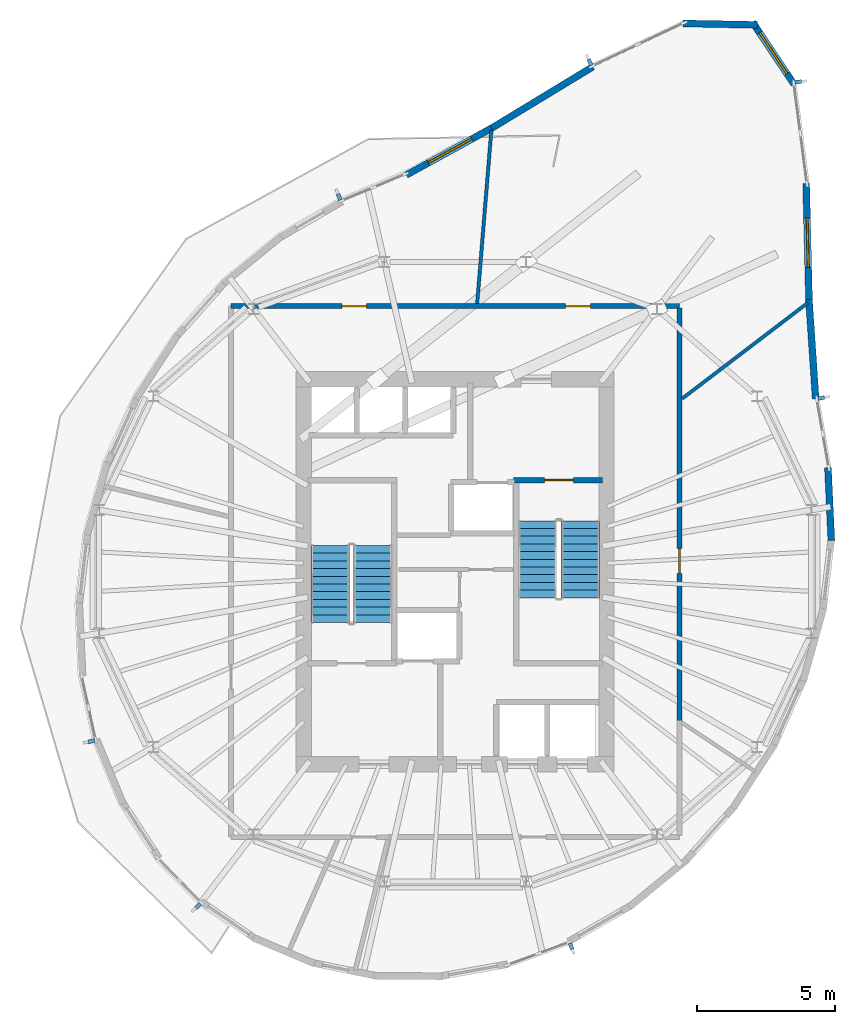
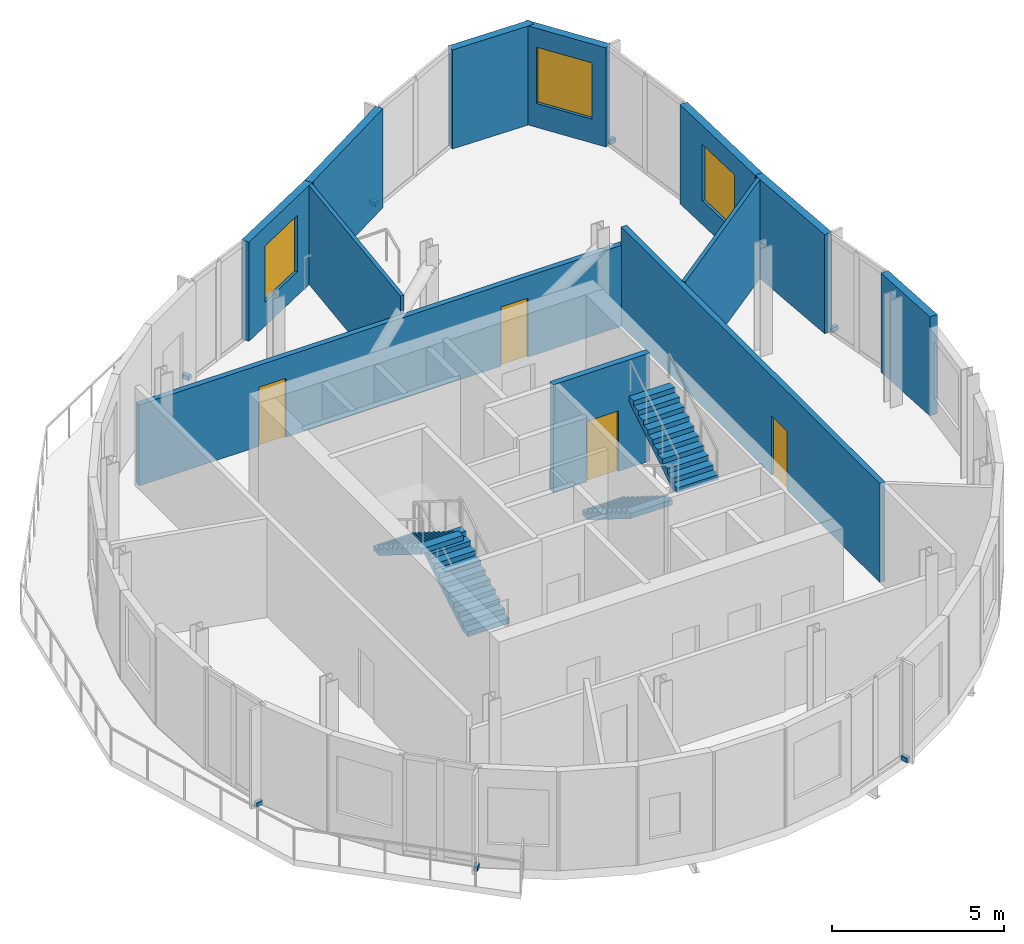
# One storey, part 6 of 8: 12 walls, 7 discrete accessories, 4 doors, 4 stair flights, 3 windows, 7 openings, 2 elements without a shape of their own.
"""IFC4 building model written with IfcOpenShell, lengths in metres."""

from ifc_helpers import new_model, si_unit, direction, frame, frame_2d, origin, origin_2d, place, context, subcontext, project, spatial, polyline, rectangle, outline, extrude, material, layer, layer_set, type_object, element, fill, aggregate, save


model = new_model("IFC4")

# Units and contexts
model_context = context("Model", 3, precision=1e-05, world=origin(), true_north=direction((0.0, 1.0)))
body_context = subcontext(model_context, "Body", "Model", "MODEL_VIEW")
ifc_project = project(units=[si_unit("LENGTHUNIT", "METRE"), si_unit("AREAUNIT", "SQUARE_METRE"), si_unit("VOLUMEUNIT", "CUBIC_METRE"), si_unit("PLANEANGLEUNIT", "RADIAN"), si_unit("MASSUNIT", "GRAM", prefix="KILO")], contexts=[model_context])

# Site, building, storey
site_placement = place(None, origin())
site = spatial("IfcSite", under=ifc_project, at=site_placement, CompositionType="ELEMENT")
building_placement = place(site_placement, origin())
building = spatial("IfcBuilding", under=site, at=building_placement, Name="Veldorim Arch Residences", CompositionType="ELEMENT")
storey_placement = place(building_placement, frame((0.0, 0.0, 243.0400390625)))
storey = spatial("IfcBuildingStorey", under=building, at=storey_placement, Name="L73", CompositionType="ELEMENT", Elevation=243.0400390625)

# Walls
ifc_material_1 = material(Name="Acoustic Gypsum Board", Category="gypsum")
ifc_layer_1 = layer(ifc_material_1, 0.125, Name="Acoustic Stud Room Partition Wall 125")
ifc_layer_set_1 = layer_set([ifc_layer_1], Name="Acoustic Gypsum Board")
wall_type_1 = type_object("IfcWallType", Name="Acoustic Stud Room Partition Wall 125", PredefinedType="PARTITIONING", material=ifc_layer_set_1)
wall_1_placement = place(storey_placement, frame((32.798095703125, 33.749755859375, 0.0), z_axis=(0.0, 0.0, 1.0), x_axis=(0.081612219351, 0.996664158908, 0.0)))
element("IfcWall", 1, at=wall_1_placement, inside=storey, type_object=wall_type_1, Name="L73 interior wall WL-SKY-L73-007", PredefinedType="PARTITIONING", context=body_context, shape_type="SweptSolid", body=[
    extrude(rectangle(XDim=6.329833984375, YDim=0.125, at=frame_2d((3.1650390625, 0.0))), origin(), (0.0, 0.0, 1.0), 3.514892578125),
])
wall_2_placement = place(storey_placement, frame((44.8134765625, 33.768310546875, 0.0), z_axis=(0.0, 0.0, 1.0), x_axis=(-0.795267778137, -0.606258328649, 0.0)))
element("IfcWall", 2, at=wall_2_placement, inside=storey, type_object=wall_type_1, Name="L73 interior wall WL-SKY-L73-008", PredefinedType="PARTITIONING", context=body_context, shape_type="SweptSolid", body=[
    extrude(rectangle(XDim=5.744140625, YDim=0.125, at=frame_2d((2.8720703125, 0.0))), origin(), (0.0, 0.0, 1.0), 3.514892578125),
])

# Wall, openings, doors
ifc_material_2 = material(Name="Lightweight Masonry Block & Gypsum", Category="masonry")
ifc_layer_2 = layer(ifc_material_2, 0.179931640625, Name="Compartment & Corridor Fire-Rated Party Wall 180")
ifc_layer_set_2 = layer_set([ifc_layer_2], Name="Lightweight Masonry Block & Gypsum")
wall_type_2 = type_object("IfcWallType", Name="Compartment & Corridor Fire-Rated Party Wall 180", PredefinedType="PARTITIONING", material=ifc_layer_set_2)
wall_3_placement = place(storey_placement, frame((23.85009765625, 33.64990234375, 0.0), z_axis=(0.0, 0.0, 1.0), x_axis=(1.0, 0.0, 0.0)))
wall_3 = element("IfcWall", 3, at=wall_3_placement, inside=storey, type_object=wall_type_2, Name="L73 interior wall WL-SKY-L73-001", PredefinedType="PARTITIONING", context=body_context, shape_type="SweptSolid", body=[
    extrude(rectangle(XDim=16.2998046875, YDim=0.179931640625, at=frame_2d((8.14990234375, 0.0))), origin(), (0.0, 0.0, 1.0), 2.877685546875),
])
opening_1_placement = place(wall_3_placement, frame((12.159912109375, 0.0, 0.0)))
opening_1 = element("IfcOpeningElement", 4, at=opening_1_placement, cuts=wall_3, Name="Opening DR-INT", PredefinedType="OPENING", context=body_context, shape_type="SweptSolid", body=[
    extrude(rectangle(XDim=0.89990234375, YDim=2.10009765625, at=frame_2d((0.449951171875, 1.050048828125))), frame((0.0, 0.099853515625, 0.0), z_axis=(0.0, -1.0, 0.0), x_axis=(1.0, 0.0, 0.0)), (0.0, 0.0, 1.0), 0.199951171875),
])
opening_2_placement = place(wall_3_placement, frame((4.030029296875, 0.0, 0.0)))
opening_2 = element("IfcOpeningElement", 5, at=opening_2_placement, cuts=wall_3, Name="Opening DR-INT", PredefinedType="OPENING", context=body_context, shape_type="SweptSolid", body=[
    extrude(rectangle(XDim=0.89990234375, YDim=2.10009765625, at=frame_2d((0.449951171875, 1.050048828125))), frame((0.0, 0.099853515625, 0.0), z_axis=(0.0, -1.0, 0.0), x_axis=(1.0, 0.0, 0.0)), (0.0, 0.0, 1.0), 0.199951171875),
])
ifc_material_3 = material(Name="Engineered Timber", Category="wood")
door_type_1 = type_object("IfcDoorType", Name="Apartment Internal Room Timber Door 900x2100", OperationType="SINGLE_SWING_LEFT", PredefinedType="DOOR", material=ifc_material_3)
door_1_placement = place(opening_1_placement, origin())
door_1 = element("IfcDoor", 6, at=door_1_placement, inside=storey, type_object=door_type_1, Name="L73 interior door DR-SKY-L73-001", OperationType="SINGLE_SWING_LEFT", OverallHeight=2.10009765625, OverallWidth=0.89990234375, PredefinedType="DOOR", context=body_context, shape_type="SweptSolid", body=[
    extrude(rectangle(XDim=0.89990234375, YDim=2.10009765625, at=frame_2d((0.449951171875, 1.050048828125))), frame((0.0, 0.02490234375, 0.0), z_axis=(0.0, -1.0, 0.0), x_axis=(1.0, 0.0, 0.0)), (0.0, 0.0, 1.0), 0.050048828125),
])
fill(opening_1, door_1)
door_2_placement = place(opening_2_placement, origin())
door_2 = element("IfcDoor", 7, at=door_2_placement, inside=storey, type_object=door_type_1, Name="L73 interior door DR-SKY-L73-002", OperationType="SINGLE_SWING_RIGHT", OverallHeight=2.10009765625, OverallWidth=0.89990234375, PredefinedType="DOOR", context=body_context, shape_type="SweptSolid", body=[
    extrude(rectangle(XDim=0.89990234375, YDim=2.10009765625, at=frame_2d((0.449951171875, 1.050048828125))), frame((0.0, 0.02490234375, 0.0), z_axis=(0.0, -1.0, 0.0), x_axis=(1.0, 0.0, 0.0)), (0.0, 0.0, 1.0), 0.050048828125),
])
fill(opening_2, door_2)

# Wall, opening, door
wall_4_placement = place(storey_placement, frame((40.14990234375, 33.590087890625, 0.0), z_axis=(0.0, 0.0, 1.0), x_axis=(0.0, -1.0, 0.0)))
wall_4 = element("IfcWall", 8, at=wall_4_placement, inside=storey, type_object=wall_type_2, Name="L73 interior wall WL-SKY-L73-002", PredefinedType="PARTITIONING", context=body_context, shape_type="SweptSolid", body=[
    extrude(rectangle(XDim=15.04541015625, YDim=0.179931640625, at=frame_2d((7.522705078125, 0.0))), origin(), (0.0, 0.0, 1.0), 3.514892578125),
])
opening_3_placement = place(wall_4_placement, frame((8.74853515625, 0.0, 0.0)))
opening_3 = element("IfcOpeningElement", 9, at=opening_3_placement, cuts=wall_4, Name="Opening DR-INT", PredefinedType="OPENING", context=body_context, shape_type="SweptSolid", body=[
    extrude(rectangle(XDim=0.89990234375, YDim=2.10009765625, at=frame_2d((0.449951171875, 1.050048828125))), frame((0.0, 0.099853515625, 0.0), z_axis=(0.0, -1.0, 0.0), x_axis=(1.0, 0.0, 0.0)), (0.0, 0.0, 1.0), 0.199951171875),
])
door_3_placement = place(opening_3_placement, origin())
door_3 = element("IfcDoor", 10, at=door_3_placement, inside=storey, type_object=door_type_1, Name="L73 interior door DR-SKY-L73-006", OperationType="SINGLE_SWING_RIGHT", OverallHeight=2.10009765625, OverallWidth=0.89990234375, PredefinedType="DOOR", context=body_context, shape_type="SweptSolid", body=[
    extrude(rectangle(XDim=0.89990234375, YDim=2.10009765625, at=frame_2d((0.449951171875, 1.050048828125))), frame((0.0, 0.02490234375, 0.0), z_axis=(0.0, -1.0, 0.0), x_axis=(1.0, 0.0, 0.0)), (0.0, 0.0, 1.0), 0.050048828125),
])
fill(opening_3, door_3)

ifc_material_4 = material(Name="Concrete C50/60", Category="concrete")
ifc_layer_3 = layer(ifc_material_4, 0.199951171875, Name="Core Stair & Lift Shaft Enclosure Wall 200")
ifc_layer_set_3 = layer_set([ifc_layer_3], Name="Concrete C50/60")
wall_type_3 = type_object("IfcWallType", Name="Core Stair & Lift Shaft Enclosure Wall 200", PredefinedType="SHEAR", material=ifc_layer_set_3)
wall_5_placement = place(storey_placement, frame((34.110107421875, 27.330078125, 0.0), z_axis=(0.0, 0.0, 1.0), x_axis=(1.0, 0.0, 0.0)))
wall_5 = element("IfcWall", 11, at=wall_5_placement, inside=storey, type_object=wall_type_3, Name="L73 shaft wall WL-SHF-L73-ST2-N", PredefinedType="SHEAR", context=body_context, shape_type="SweptSolid", body=[
    extrude(rectangle(XDim=3.239990234375, YDim=0.199951171875, at=frame_2d((1.6201171875, 0.0))), origin(), (0.0, 0.0, 1.0), 3.83984375),
])
opening_4_placement = place(wall_5_placement, frame((1.135009765625, 0.0, 0.0)))
opening_4 = element("IfcOpeningElement", 12, at=opening_4_placement, cuts=wall_5, Name="Opening DR-ST", PredefinedType="OPENING", context=body_context, shape_type="SweptSolid", body=[
    extrude(rectangle(XDim=1.050048828125, YDim=2.14990234375, at=frame_2d((0.52490234375, 1.074951171875))), frame((0.0, 0.10986328125, 0.0), z_axis=(0.0, -1.0, 0.0), x_axis=(1.0, 0.0, 0.0)), (0.0, 0.0, 1.0), 0.219970703125),
])
ifc_material_5 = material(Name="Fire-Rated Steel", Category="steel")
door_type_2 = type_object("IfcDoorType", Name="Exit Staircase Self-Closing Fire Door 1050x2150", OperationType="SINGLE_SWING_LEFT", PredefinedType="DOOR", material=ifc_material_5)
door_4_placement = place(opening_4_placement, origin())
door_4 = element("IfcDoor", 13, at=door_4_placement, inside=storey, type_object=door_type_2, Name="L73 interior door DR-L73-ST2", OperationType="SINGLE_SWING_RIGHT", OverallHeight=2.14990234375, OverallWidth=1.050048828125, PredefinedType="DOOR", context=body_context, shape_type="SweptSolid", body=[
    extrude(rectangle(XDim=1.050048828125, YDim=2.14990234375, at=frame_2d((0.52490234375, 1.074951171875))), frame((0.0, 0.02490234375, 0.0), z_axis=(0.0, -1.0, 0.0), x_axis=(1.0, 0.0, 0.0)), (0.0, 0.0, 1.0), 0.050048828125),
])
fill(opening_4, door_4)

# Walls
ifc_material_6 = material(Name="Precast concrete C40/50", Category="concrete")
ifc_layer_4 = layer(ifc_material_6, 0.25, Name="Tower Terracotta Spandrel & Pier Wall 250")
ifc_layer_set_4 = layer_set([ifc_layer_4], Name="Precast concrete C40/50")
wall_type_4 = type_object("IfcWallType", Name="Tower Terracotta Spandrel & Pier Wall 250", PredefinedType="SOLIDWALL", material=ifc_layer_set_4)
wall_6_placement = place(storey_placement, frame((40.28564453125, 43.9287109375, 0.0), z_axis=(0.0, 0.0, 1.0), x_axis=(0.999816175045, -0.019173317875, 0.0)))
element("IfcWall", 14, at=wall_6_placement, inside=storey, type_object=wall_type_4, Name="L73 terracotta facade wall 01", PredefinedType="SOLIDWALL", context=body_context, shape_type="SweptSolid", body=[
    extrude(rectangle(XDim=2.699462890625, YDim=0.25, at=frame_2d((1.349609375, 0.0))), origin(), (0.0, 0.0, 1.0), 3.52001953125),
])
wall_7_placement = place(storey_placement, frame((33.327880859375, 40.126708984375, 0.0), z_axis=(0.0, 0.0, 1.0), x_axis=(0.854986749767, 0.518649841148, 0.0)))
element("IfcWall", 15, at=wall_7_placement, inside=storey, type_object=wall_type_4, Name="L73 terracotta facade wall 03", PredefinedType="SOLIDWALL", context=body_context, shape_type="SweptSolid", body=[
    extrude(rectangle(XDim=4.289306640625, YDim=0.25, at=frame_2d((2.14453125, 0.0))), origin(), (0.0, 0.0, 1.0), 3.52001953125),
])

# Wall, opening, window
wall_8_placement = place(storey_placement, frame((30.224365234375, 38.42529296875, 0.0), z_axis=(0.0, 0.0, 1.0), x_axis=(0.876630929742, 0.481163395344, 0.0)))
wall_8 = element("IfcWall", 16, at=wall_8_placement, inside=storey, type_object=wall_type_4, Name="L73 terracotta facade wall 04", PredefinedType="SOLIDWALL", context=body_context, shape_type="SweptSolid", body=[
    extrude(rectangle(XDim=3.623779296875, YDim=0.25, at=frame_2d((1.81201171875, 0.0))), origin(), (0.0, 0.0, 1.0), 3.52001953125),
])
opening_5_placement = place(wall_8_placement, frame((0.912109375, 0.0, 0.85009765625)))
opening_5 = element("IfcOpeningElement", 17, at=opening_5_placement, cuts=wall_8, Name="Opening WN-04", PredefinedType="OPENING", context=body_context, shape_type="SweptSolid", body=[
    extrude(rectangle(XDim=1.800048828125, YDim=2.0, at=frame_2d((0.89990234375, 1.0))), frame((0.0, 0.135009765625, 0.0), z_axis=(0.0, -1.0, 0.0), x_axis=(1.0, 0.0, 0.0)), (0.0, 0.0, 1.0), 0.27001953125),
])
ifc_material_7 = material(Name="Laminated Low-E Glass", Category="glass")
window_type = type_object("IfcWindowType", Name="Sky Lounge Tall Picture Window 1800x1370", PartitioningType="SINGLE_PANEL", PredefinedType="WINDOW", material=ifc_material_7)
window_1_placement = place(opening_5_placement, origin())
window_1 = element("IfcWindow", 18, at=window_1_placement, inside=storey, type_object=window_type, Name="L73 solar-control facade window 04", OverallHeight=2.0, OverallWidth=1.800048828125, PartitioningType="SINGLE_PANEL", PredefinedType="WINDOW", context=body_context, shape_type="SweptSolid", body=[
    extrude(rectangle(XDim=1.800048828125, YDim=2.0, at=frame_2d((0.89990234375, 1.0))), frame((0.0, 0.030029296875, 0.0), z_axis=(0.0, -1.0, 0.0), x_axis=(1.0, 0.0, 0.0)), (0.0, 0.0, 1.0), 0.06005859375),
])
fill(opening_5, window_1)

# Walls
wall_9_placement = place(storey_placement, frame((45.55078125, 27.781494140625, 0.0), z_axis=(0.0, 0.0, 1.0), x_axis=(0.046326751692, -0.998926339666, 0.0)))
element("IfcWall", 19, at=wall_9_placement, inside=storey, type_object=wall_type_4, Name="L73 terracotta facade wall 31", PredefinedType="SOLIDWALL", context=body_context, shape_type="SweptSolid", body=[
    extrude(rectangle(XDim=2.65087890625, YDim=0.25, at=frame_2d((1.325439453125, 0.0))), origin(), (0.0, 0.0, 1.0), 3.52001953125),
])
wall_10_placement = place(storey_placement, frame((44.859619140625, 33.900634765625, 0.0), z_axis=(0.0, 0.0, 1.0), x_axis=(0.067708398877, -0.9977051532, 0.0)))
element("IfcWall", 20, at=wall_10_placement, inside=storey, type_object=wall_type_4, Name="L73 terracotta facade wall 33", PredefinedType="SOLIDWALL", context=body_context, shape_type="SweptSolid", body=[
    extrude(rectangle(XDim=3.623779296875, YDim=0.25, at=frame_2d((1.81201171875, 0.0))), origin(), (0.0, 0.0, 1.0), 3.52001953125),
])

# Wall, opening, window
wall_11_placement = place(storey_placement, frame((44.759033203125, 38.10400390625, 0.0), z_axis=(0.0, 0.0, 1.0), x_axis=(0.024363566468, -0.999703164259, 0.0)))
wall_11 = element("IfcWall", 21, at=wall_11_placement, inside=storey, type_object=wall_type_4, Name="L73 terracotta facade wall 34", PredefinedType="SOLIDWALL", context=body_context, shape_type="SweptSolid", body=[
    extrude(rectangle(XDim=4.288818359375, YDim=0.25, at=frame_2d((2.14453125, 0.0))), origin(), (0.0, 0.0, 1.0), 3.52001953125),
])
opening_6_placement = place(wall_11_placement, frame((1.2451171875, 0.0, 0.85009765625)))
opening_6 = element("IfcOpeningElement", 22, at=opening_6_placement, cuts=wall_11, Name="Opening WN-04", PredefinedType="OPENING", context=body_context, shape_type="SweptSolid", body=[
    extrude(rectangle(XDim=1.800048828125, YDim=2.0, at=frame_2d((0.89990234375, 1.0))), frame((0.0, 0.135009765625, 0.0), z_axis=(0.0, -1.0, 0.0), x_axis=(1.0, 0.0, 0.0)), (0.0, 0.0, 1.0), 0.27001953125),
])
window_2_placement = place(opening_6_placement, origin())
window_2 = element("IfcWindow", 23, at=window_2_placement, inside=storey, type_object=window_type, Name="L73 solar-control facade window 34", OverallHeight=2.0, OverallWidth=1.800048828125, PartitioningType="SINGLE_PANEL", PredefinedType="WINDOW", context=body_context, shape_type="SweptSolid", body=[
    extrude(rectangle(XDim=1.800048828125, YDim=2.0, at=frame_2d((0.89990234375, 1.0))), frame((0.0, 0.030029296875, 0.0), z_axis=(0.0, -1.0, 0.0), x_axis=(1.0, 0.0, 0.0)), (0.0, 0.0, 1.0), 0.06005859375),
])
fill(opening_6, window_2)

wall_12_placement = place(storey_placement, frame((42.813232421875, 43.970703125, 0.0), z_axis=(0.0, 0.0, 1.0), x_axis=(0.555451275578, -0.831549084816, 0.0)))
wall_12 = element("IfcWall", 24, at=wall_12_placement, inside=storey, type_object=wall_type_4, Name="L73 terracotta facade wall 36", PredefinedType="SOLIDWALL", context=body_context, shape_type="SweptSolid", body=[
    extrude(rectangle(XDim=2.69970703125, YDim=0.25, at=frame_2d((1.349853515625, 0.0))), origin(), (0.0, 0.0, 1.0), 3.52001953125),
])
opening_7_placement = place(wall_12_placement, frame((0.449951171875, 0.0, 0.85009765625)))
opening_7 = element("IfcOpeningElement", 25, at=opening_7_placement, cuts=wall_12, Name="Opening WN-04", PredefinedType="OPENING", context=body_context, shape_type="SweptSolid", body=[
    extrude(rectangle(XDim=1.800048828125, YDim=2.0, at=frame_2d((0.89990234375, 1.0))), frame((0.0, 0.135009765625, 0.0), z_axis=(0.0, -1.0, 0.0), x_axis=(1.0, 0.0, 0.0)), (0.0, 0.0, 1.0), 0.27001953125),
])
window_3_placement = place(opening_7_placement, origin())
window_3 = element("IfcWindow", 26, at=window_3_placement, inside=storey, type_object=window_type, Name="L73 solar-control facade window 36", OverallHeight=2.0, OverallWidth=1.800048828125, PartitioningType="SINGLE_PANEL", PredefinedType="WINDOW", context=body_context, shape_type="SweptSolid", body=[
    extrude(rectangle(XDim=1.800048828125, YDim=2.0, at=frame_2d((0.89990234375, 1.0))), frame((0.0, 0.030029296875, 0.0), z_axis=(0.0, -1.0, 0.0), x_axis=(1.0, 0.0, 0.0)), (0.0, 0.0, 1.0), 0.06005859375),
])
fill(opening_7, window_3)

# Stair, stair flights
ifc_material_8 = material(Name="Concrete C40/50", Category="concrete")
stair_type = type_object("IfcStairType", Name="Reinforced Concrete Dogleg Exit Staircase", PredefinedType="HALF_TURN_STAIR", material=ifc_material_8)
stair_1_placement = place(storey_placement, origin())
stair_1 = element("IfcStair", 27, at=stair_1_placement, inside=storey, type_object=stair_type, Name="L73 Exit Staircase ST-1", PredefinedType="HALF_TURN_STAIR")
ifc_material_9 = material(Name="Concrete C40/50", Category="concrete")
stair_flight_type = type_object("IfcStairFlightType", Name="Reinforced Concrete Stair Flight 1400", PredefinedType="STRAIGHT", material=ifc_material_9)
stair_flight_1_placement = place(storey_placement, frame((29.010009765625, 22.14990234375, 0.0), z_axis=(0.0, 0.0, 1.0), x_axis=(0.0, 1.0, 0.0)))
stair_flight_1 = element("IfcStairFlight", 28, at=stair_flight_1_placement, type_object=stair_flight_type, Name="ST-1 flight 1", NumberOfRisers=11, NumberOfTreads=10, PredefinedType="STRAIGHT", RiserHeight=0.174545455, TreadLength=0.28, context=body_context, shape_type="SweptSolid", body=[
    extrude(outline(polyline([(0.0, 0.0), (0.0, 0.174560546875), (0.280029296875, 0.174560546875), (0.280029296875, 0.34912109375), (0.56005859375, 0.34912109375), (0.56005859375, 0.523681640625), (0.840087890625, 0.523681640625), (0.840087890625, 0.6982421875), (1.1201171875, 0.6982421875), (1.1201171875, 0.872802734375), (1.39990234375, 0.872802734375), (1.39990234375, 1.04736328125), (1.679931640625, 1.04736328125), (1.679931640625, 1.221923828125), (1.9599609375, 1.221923828125), (1.9599609375, 1.396484375), (2.239990234375, 1.396484375), (2.239990234375, 1.57080078125), (2.52001953125, 1.57080078125), (2.52001953125, 1.745361328125), (2.800048828125, 1.745361328125), (2.800048828125, 1.919921875), (2.800048828125, 1.55712890625), (0.30224609375, 0.0), (0.0, 0.0)])), frame((0.0, 0.699951171875, 0.0), z_axis=(0.0, -1.0, 0.0), x_axis=(1.0, 0.0, 0.0)), (0.0, 0.0, 1.0), 1.39990234375),
])
stair_flight_2_placement = place(storey_placement, frame((27.449951171875, 24.949951171875, 1.919921875), z_axis=(0.0, 0.0, 1.0), x_axis=(0.0, -1.0, 0.0)))
stair_flight_2 = element("IfcStairFlight", 29, at=stair_flight_2_placement, type_object=stair_flight_type, Name="ST-1 flight 2", NumberOfRisers=11, NumberOfTreads=10, PredefinedType="STRAIGHT", RiserHeight=0.174545455, TreadLength=0.28, context=body_context, shape_type="SweptSolid", body=[
    extrude(outline(polyline([(0.0, 0.0), (0.0, 0.174560546875), (0.280029296875, 0.174560546875), (0.280029296875, 0.34912109375), (0.56005859375, 0.34912109375), (0.56005859375, 0.523681640625), (0.840087890625, 0.523681640625), (0.840087890625, 0.6982421875), (1.1201171875, 0.6982421875), (1.1201171875, 0.872802734375), (1.39990234375, 0.872802734375), (1.39990234375, 1.04736328125), (1.679931640625, 1.04736328125), (1.679931640625, 1.221923828125), (1.9599609375, 1.221923828125), (1.9599609375, 1.396484375), (2.239990234375, 1.396484375), (2.239990234375, 1.57080078125), (2.52001953125, 1.57080078125), (2.52001953125, 1.745361328125), (2.800048828125, 1.745361328125), (2.800048828125, 1.919921875), (2.800048828125, 1.55712890625), (0.30224609375, 0.0), (0.0, 0.0)])), frame((0.0, 0.699951171875, 0.0), z_axis=(0.0, -1.0, 0.0), x_axis=(1.0, 0.0, 0.0)), (0.0, 0.0, 1.0), 1.39990234375),
])
aggregate(stair_1, [stair_flight_1, stair_flight_2])

stair_2_placement = place(storey_placement, origin())
stair_2 = element("IfcStair", 30, at=stair_2_placement, inside=storey, type_object=stair_type, Name="L73 Exit Staircase ST-2", PredefinedType="HALF_TURN_STAIR")
stair_flight_3_placement = place(storey_placement, frame((34.989990234375, 25.85009765625, 0.0), z_axis=(0.0, 0.0, 1.0), x_axis=(0.0, -1.0, 0.0)))
stair_flight_3 = element("IfcStairFlight", 31, at=stair_flight_3_placement, type_object=stair_flight_type, Name="ST-2 flight 1", NumberOfRisers=11, NumberOfTreads=10, PredefinedType="STRAIGHT", RiserHeight=0.174545455, TreadLength=0.28, context=body_context, shape_type="SweptSolid", body=[
    extrude(outline(polyline([(0.0, 0.0), (0.0, 0.174560546875), (0.280029296875, 0.174560546875), (0.280029296875, 0.34912109375), (0.56005859375, 0.34912109375), (0.56005859375, 0.523681640625), (0.840087890625, 0.523681640625), (0.840087890625, 0.6982421875), (1.1201171875, 0.6982421875), (1.1201171875, 0.872802734375), (1.39990234375, 0.872802734375), (1.39990234375, 1.04736328125), (1.679931640625, 1.04736328125), (1.679931640625, 1.221923828125), (1.9599609375, 1.221923828125), (1.9599609375, 1.396484375), (2.239990234375, 1.396484375), (2.239990234375, 1.57080078125), (2.52001953125, 1.57080078125), (2.52001953125, 1.745361328125), (2.800048828125, 1.745361328125), (2.800048828125, 1.919921875), (2.800048828125, 1.55712890625), (0.30224609375, 0.0), (0.0, 0.0)])), frame((0.0, 0.699951171875, 0.0), z_axis=(0.0, -1.0, 0.0), x_axis=(1.0, 0.0, 0.0)), (0.0, 0.0, 1.0), 1.39990234375),
])
stair_flight_4_placement = place(storey_placement, frame((36.550048828125, 23.050048828125, 1.919921875), z_axis=(0.0, 0.0, 1.0), x_axis=(0.0, 1.0, 0.0)))
stair_flight_4 = element("IfcStairFlight", 32, at=stair_flight_4_placement, type_object=stair_flight_type, Name="ST-2 flight 2", NumberOfRisers=11, NumberOfTreads=10, PredefinedType="STRAIGHT", RiserHeight=0.174545455, TreadLength=0.28, context=body_context, shape_type="SweptSolid", body=[
    extrude(outline(polyline([(0.0, 0.0), (0.0, 0.174560546875), (0.280029296875, 0.174560546875), (0.280029296875, 0.34912109375), (0.56005859375, 0.34912109375), (0.56005859375, 0.523681640625), (0.840087890625, 0.523681640625), (0.840087890625, 0.6982421875), (1.1201171875, 0.6982421875), (1.1201171875, 0.872802734375), (1.39990234375, 0.872802734375), (1.39990234375, 1.04736328125), (1.679931640625, 1.04736328125), (1.679931640625, 1.221923828125), (1.9599609375, 1.221923828125), (1.9599609375, 1.396484375), (2.239990234375, 1.396484375), (2.239990234375, 1.57080078125), (2.52001953125, 1.57080078125), (2.52001953125, 1.745361328125), (2.800048828125, 1.745361328125), (2.800048828125, 1.919921875), (2.800048828125, 1.55712890625), (0.30224609375, 0.0), (0.0, 0.0)])), frame((0.0, 0.699951171875, 0.0), z_axis=(0.0, -1.0, 0.0), x_axis=(1.0, 0.0, 0.0)), (0.0, 0.0, 1.0), 1.39990234375),
])
aggregate(stair_2, [stair_flight_3, stair_flight_4])

# Discrete accessories
ifc_material_10 = material(Name="Stainless Steel", Category="steel")
discrete_accessory_type = type_object("IfcDiscreteAccessoryType", Name="Stainless Steel Facade Fin Anchor Bracket", PredefinedType="BRACKET", material=ifc_material_10)
for number, where, z_axis, x_axis, name in (
    (33, (36.898193359375, 42.515380859375, -0.02001953125), (0.0, 0.0, 1.0), (0.904975622348, 0.425463421407, 0.0), "L73 stainless fin anchor bracket 02"),
    (34, (27.78369140625, 37.6162109375, -0.02001953125), (0.0, 0.0, 1.0), (0.92199836388, 0.387193771905, 0.0), "L73 stainless fin anchor bracket 05"),
    (35, (18.779296875, 17.837158203125, -0.02001953125), (0.0, 0.0, 1.0), (-0.213371426534, 0.976971153279, 0.0), "L73 stainless fin anchor bracket 14"),
    (36, (22.652099609375, 11.853759765625, -0.02001953125), (0.0, 0.0, 1.0), (-0.697039967731, 0.717032274995, 0.0), "L73 stainless fin anchor bracket 17"),
    (37, (36.212646484375, 10.38427734375, -0.02001953125), (0.0, 0.0, 1.0), (-0.937828368633, -0.347099338788, 0.0), "L73 stainless fin anchor bracket 23"),
    (38, (45.302490234375, 30.31103515625, -0.02001953125), (0.0, 0.0, 1.0), (0.171241322388, -0.985229115235, 0.0), "L73 stainless fin anchor bracket 32"),
    (39, (44.46630859375, 41.80224609375, -0.02001953125), (0.0, 0.0, 1.0), (0.129834001381, -0.99153574423, 0.0), "L73 stainless fin anchor bracket 35"),
):
    element("IfcDiscreteAccessory", number, at=place(storey_placement, frame(where, z_axis=z_axis, x_axis=x_axis)), inside=storey, type_object=discrete_accessory_type, Name=name, PredefinedType="BRACKET", context=body_context, shape_type="SweptSolid", body=[
        extrude(rectangle(XDim=0.139892578125, YDim=0.239990234375, at=origin_2d()), origin(), (0.0, 0.0, 1.0), 0.159912109375),
    ])

save(model, "model.ifc")
